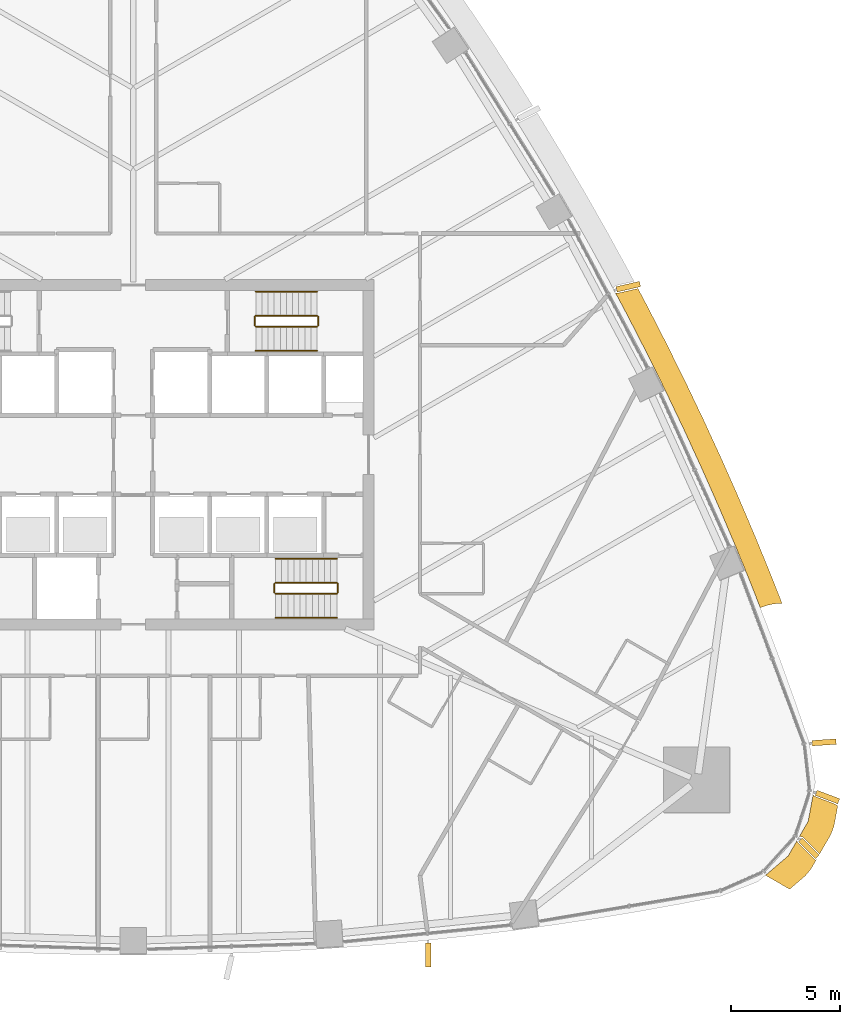
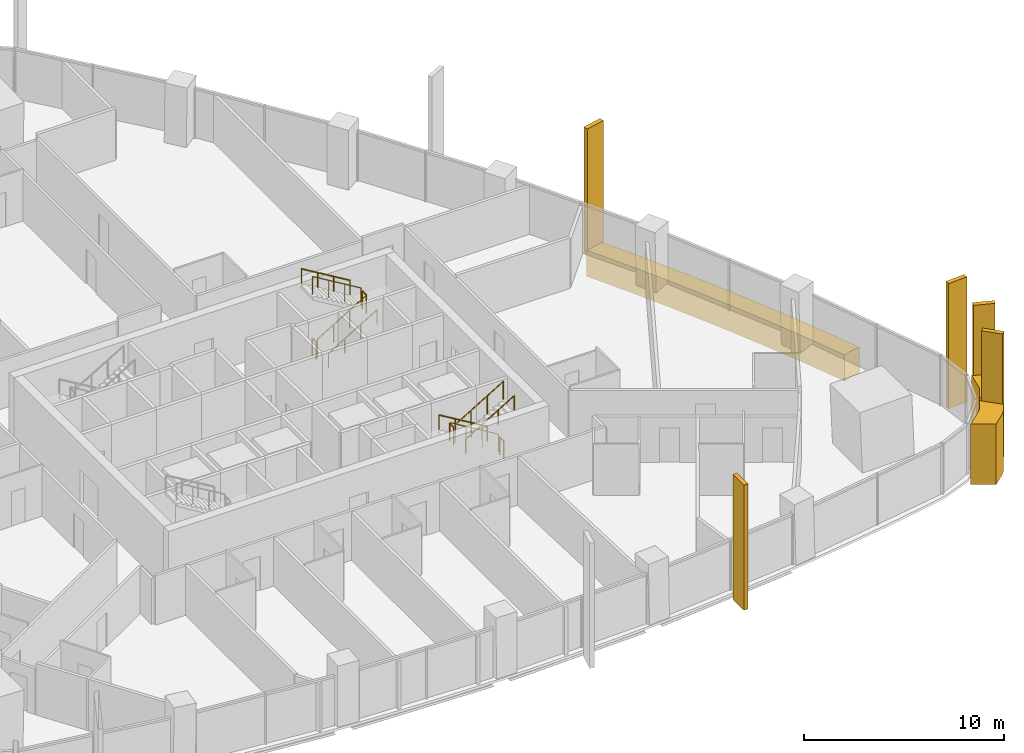
# One storey, part 20 of 22: 12 railings, 8 coverings.
"""IFC4 building model written with IfcOpenShell, lengths in metres."""

from ifc_helpers import new_model, si_unit, direction, frame, origin, origin_2d, place, context, subcontext, project, spatial, polyline, rectangle, circle, outline, extrude, material, layer, layer_set, material_profile, profile_set, type_object, element, save


model = new_model("IFC4")

# Units and contexts
model_context = context("Model", 3, precision=1e-05, world=origin(), true_north=direction((0.0, 1.0)))
body_context = subcontext(model_context, "Body", "Model", "MODEL_VIEW")
ifc_project = project(units=[si_unit("LENGTHUNIT", "METRE"), si_unit("AREAUNIT", "SQUARE_METRE"), si_unit("VOLUMEUNIT", "CUBIC_METRE"), si_unit("PLANEANGLEUNIT", "RADIAN"), si_unit("MASSUNIT", "GRAM", prefix="KILO")], contexts=[model_context])

# Site, building, storey
site_placement = place(None, origin())
site = spatial("IfcSite", under=ifc_project, at=site_placement, CompositionType="ELEMENT")
building_placement = place(site_placement, origin())
building = spatial("IfcBuilding", under=site, at=building_placement, Name="Sierra Prisma Convention Tower", CompositionType="ELEMENT")
storey_placement = place(building_placement, frame((0.0, 0.0, 96.10009765625)))
storey = spatial("IfcBuildingStorey", under=building, at=storey_placement, Name="L20", CompositionType="ELEMENT", Elevation=96.10009765625)

# Coverings
ifc_material_1 = material(Name="Aluminium composite bronze anodised", Category="aluminium")
ifc_layer_1 = layer(ifc_material_1, 1.199951171875)
ifc_layer_set_1 = layer_set([ifc_layer_1], Name="Bronze corner pier")
covering_type_1 = type_object("IfcCoveringType", Name="Bronze corner pier", PredefinedType="CLADDING", material=ifc_layer_set_1)
covering_1_placement = place(storey_placement, frame((0.0, 0.0, -0.60009765625)))
element("IfcCovering", 1, at=covering_1_placement, inside=storey, type_object=covering_type_1, Name="Corner pier SE L20.1", PredefinedType="CLADDING", context=body_context, shape_type="SweptSolid", body=[
    extrude(outline(polyline([(31.147216796875, -18.508544921875), (31.1513671875, -18.510986328125), (31.15576171875, -18.51318359375), (31.160400390625, -18.514892578125), (31.165283203125, -18.51611328125), (31.169921875, -18.516845703125), (31.1748046875, -18.51708984375), (31.1796875, -18.516845703125), (31.184814453125, -18.51611328125), (31.189453125, -18.514892578125), (31.194091796875, -18.51318359375), (31.198486328125, -18.510986328125), (31.20263671875, -18.508544921875), (31.206787109375, -18.505615234375), (31.210205078125, -18.50244140625), (31.214599609375, -18.498291015625), (30.96533203125, -18.9296875), (30.70654296875, -19.2412109375), (29.989990234375, -19.85498046875), (28.887939453125, -19.21875), (29.926025390625, -18.329833984375), (30.324462890625, -17.639892578125), (30.3505859375, -17.707275390625), (30.3525390625, -17.7119140625), (30.355224609375, -17.716552734375), (30.3583984375, -17.720703125), (30.36181640625, -17.724609375), (31.1396484375, -18.50244140625), (31.143310546875, -18.505615234375), (31.147216796875, -18.508544921875)])), origin(), (0.0, 0.0, 1.0), 3.699951171875),
])
covering_2_placement = place(storey_placement, frame((0.0, 0.0, -0.60009765625)))
element("IfcCovering", 2, at=covering_2_placement, inside=storey, type_object=covering_type_1, Name="Corner pier SE L20.2", PredefinedType="CLADDING", context=body_context, shape_type="SweptSolid", body=[
    extrude(outline(polyline([(31.876220703125, -17.351806640625), (31.36669921875, -18.234619140625), (30.609375, -17.47705078125), (30.605712890625, -17.4736328125), (30.6015625, -17.470703125), (30.597412109375, -17.46826171875), (30.5927734375, -17.466064453125), (30.588134765625, -17.464599609375), (30.583251953125, -17.46337890625), (30.578369140625, -17.462646484375), (30.43408203125, -17.44970703125), (30.837158203125, -16.751708984375), (31.063720703125, -15.5380859375), (31.12158203125, -15.6005859375), (31.125, -15.60400390625), (31.128662109375, -15.60693359375), (31.13232421875, -15.609619140625), (31.136474609375, -15.61181640625), (31.140869140625, -15.613525390625), (32.005859375, -15.938232421875), (32.18994140625, -16.04443359375), (32.0166015625, -16.971923828125), (31.876220703125, -17.351806640625)])), origin(), (0.0, 0.0, 1.0), 3.699951171875),
])
ifc_material_2 = material(Name="Aluminium 6063-T6 bronze anodised", Category="aluminium")
ifc_material_profile = material_profile(ifc_material_2, rectangle(XDim=1.10009765625, YDim=0.25, at=origin_2d()), Name="ALU FIN 1100x250")
ifc_profile_set = profile_set([ifc_material_profile], Name="Aluminium 6063-T6 bronze anodised")
covering_type_2 = type_object("IfcCoveringType", Name="Bronze facade fin", PredefinedType="CLADDING", material=ifc_profile_set)
for number, where, z_axis, x_axis, name in (
    (3, (13.477783203125, -22.858154296875, -0.300048828125), (0.0, 0.0, 1.0), (0.005399644184, -0.999985421815, 0.0), "Fin L20.14"),
    (4, (30.87451171875, -17.98974609375, -0.300048828125), (0.0, 0.0, 1.0), (0.707106781187, -0.707106781187, 0.0), "Fin L20.20"),
    (5, (31.71728515625, -15.64306640625, -0.300048828125), (0.0, 0.0, 1.0), (0.936217667051, -0.351420659468, 0.0), "Fin L20.21"),
    (6, (31.56494140625, -13.146484375, -0.300048828125), (0.0, 0.0, 1.0), (0.997741456921, 0.06717131189, 0.0), "Fin L20.22"),
    (7, (22.62060546875, 7.676025390625, -0.300048828125), (0.0, 0.0, 1.0), (0.974534969145, 0.224235576822, 0.0), "Fin L20.29"),
):
    element("IfcCovering", number, at=place(storey_placement, frame(where, z_axis=z_axis, x_axis=x_axis)), inside=storey, type_object=covering_type_2, Name=name, ObjectType="FIN", PredefinedType="CLADDING", context=body_context, shape_type="SweptSolid", body=[
        extrude(rectangle(XDim=1.10009765625, YDim=0.25, at=origin_2d()), origin(), (0.0, 0.0, 1.0), 7.64990234375),
    ])
ifc_material_3 = material(Name="Aluminium composite bronze anodised", Category="aluminium")
ifc_layer_2 = layer(ifc_material_3, 1.0)
ifc_layer_set_2 = layer_set([ifc_layer_2], Name="Bronze spandrel band")
covering_type_3 = type_object("IfcCoveringType", Name="Bronze spandrel band", PredefinedType="CLADDING", material=ifc_layer_set_2)
covering_3_placement = place(storey_placement, frame((0.0, 0.0, -1.60009765625)))
element("IfcCovering", 8, at=covering_3_placement, inside=storey, type_object=covering_type_3, Name="Spandrel band L20.10", PredefinedType="CLADDING", context=body_context, shape_type="SweptSolid", body=[
    extrude(outline(polyline([(29.64453125, -6.79345703125), (29.48681640625, -6.795654296875), (29.241455078125, -6.823486328125), (29.0, -6.875), (28.7646484375, -6.949951171875), (28.648681640625, -6.993408203125), (28.225830078125, -5.91552734375), (27.9736328125, -5.299072265625), (27.973876953125, -5.29736328125), (27.9736328125, -5.29248046875), (27.972900390625, -5.28759765625), (27.9716796875, -5.28271484375), (27.97021484375, -5.2783203125), (27.51318359375, -4.16845703125), (27.51123046875, -4.164306640625), (27.5087890625, -4.16015625), (27.507080078125, -4.15771484375), (27.495361328125, -4.12890625), (26.739501953125, -2.35302734375), (25.958251953125, -0.588134765625), (25.152099609375, 1.16552734375), (24.32080078125, 2.907470703125), (24.30712890625, 2.935302734375), (24.306396484375, 2.93798828125), (24.304931640625, 2.9423828125), (24.302978515625, 2.947021484375), (23.7734375, 4.02392578125), (23.77099609375, 4.028076171875), (23.768310546875, 4.031982421875), (23.765380859375, 4.035888671875), (23.761962890625, 4.039306640625), (23.76025390625, 4.040283203125), (23.46484375, 4.637451171875), (22.58447265625, 6.35498046875), (22.031982421875, 7.3955078125), (22.10302734375, 7.3818359375), (22.1083984375, 7.381103515625), (22.113525390625, 7.381103515625), (22.11865234375, 7.38134765625), (22.123779296875, 7.382080078125), (22.1923828125, 7.39794921875), (22.19970703125, 7.396484375), (22.204833984375, 7.395751953125), (22.2099609375, 7.3955078125), (22.215087890625, 7.39599609375), (22.22021484375, 7.39697265625), (23.060791015625, 7.59033203125), (23.4677734375, 6.82373046875), (23.474365234375, 6.811279296875), (24.354736328125, 5.093505859375), (24.361083984375, 5.080810546875), (25.217041015625, 3.350830078125), (25.223388671875, 3.338134765625), (26.054443359375, 1.59619140625), (26.060546875, 1.583251953125), (26.86669921875, -0.17041015625), (26.872802734375, -0.183349609375), (27.65380859375, -1.948486328125), (27.659423828125, -1.96142578125), (28.415283203125, -3.7373046875), (28.4208984375, -3.75048828125), (29.1513671875, -5.537109375), (29.15673828125, -5.55029296875), (29.64453125, -6.79345703125)])), origin(), (0.0, 0.0, 1.0), 1.60009765625),
])

# Railings
ifc_material_4 = material(Name="Stainless steel", Category="steel")
railing_type_1 = type_object("IfcRailingType", Name="Exit stair handrail", PredefinedType="HANDRAIL", material=ifc_material_4)
railing_1_placement = place(storey_placement, frame((9.300048828125, -4.75, 0.16796875)))
element("IfcRailing", 9, at=railing_1_placement, inside=storey, type_object=railing_type_1, Name="L20 S2 stair handrail 1", PredefinedType="HANDRAIL", context=body_context, shape_type="SweptSolid", body=[
    extrude(circle(Radius=0.02392578125, at=origin_2d()), frame((0.0, 0.0, 0.8759765625), z_axis=(-0.857242210791, 0.0, 0.514913383045), x_axis=(0.0, -1.0, 0.0)), (0.0, 0.0, 1.0), 3.266357421875),
    extrude(circle(Radius=0.02099609375, at=origin_2d()), origin(), (0.0, 0.0, 1.0), 0.851806640625),
    extrude(circle(Radius=0.02099609375, at=origin_2d()), frame((-0.933349609375, 0.0, 0.560546875)), (0.0, 0.0, 1.0), 0.851806640625),
    extrude(circle(Radius=0.02099609375, at=origin_2d()), frame((-1.86669921875, 0.0, 1.121337890625)), (0.0, 0.0, 1.0), 0.851806640625),
    extrude(circle(Radius=0.02099609375, at=origin_2d()), frame((-2.800048828125, 0.0, 1.681884765625)), (0.0, 0.0, 1.0), 0.851806640625),
])
railing_2_placement = place(storey_placement, frame((6.5, -7.449951171875, 2.01806640625)))
element("IfcRailing", 10, at=railing_2_placement, inside=storey, type_object=railing_type_1, Name="L20 S2 stair handrail 2", PredefinedType="HANDRAIL", context=body_context, shape_type="SweptSolid", body=[
    extrude(circle(Radius=0.02392578125, at=origin_2d()), frame((0.0, 0.0, 0.8759765625), z_axis=(0.857242210791, 0.0, 0.514913383045), x_axis=(0.0, 1.0, 0.0)), (0.0, 0.0, 1.0), 3.266357421875),
    extrude(circle(Radius=0.02099609375, at=origin_2d()), origin(), (0.0, 0.0, 1.0), 0.851806640625),
    extrude(circle(Radius=0.02099609375, at=origin_2d()), frame((0.933349609375, 0.0, 0.560546875)), (0.0, 0.0, 1.0), 0.851806640625),
    extrude(circle(Radius=0.02099609375, at=origin_2d()), frame((1.86669921875, 0.0, 1.121337890625)), (0.0, 0.0, 1.0), 0.851806640625),
    extrude(circle(Radius=0.02099609375, at=origin_2d()), frame((2.800048828125, 0.0, 1.681884765625)), (0.0, 0.0, 1.0), 0.851806640625),
])
railing_3_placement = place(storey_placement, frame((5.60009765625, 4.75, 0.16796875)))
element("IfcRailing", 11, at=railing_3_placement, inside=storey, type_object=railing_type_1, Name="L20 S4 stair handrail 1", PredefinedType="HANDRAIL", context=body_context, shape_type="SweptSolid", body=[
    extrude(circle(Radius=0.02392578125, at=origin_2d()), frame((0.0, 0.0, 0.8759765625), z_axis=(0.857222391501, 0.0, 0.514946377315), x_axis=(0.0, 1.0, 0.0)), (0.0, 0.0, 1.0), 3.26611328125),
    extrude(circle(Radius=0.02099609375, at=origin_2d()), origin(), (0.0, 0.0, 1.0), 0.851806640625),
    extrude(circle(Radius=0.02099609375, at=origin_2d()), frame((0.933349609375, 0.0, 0.560546875)), (0.0, 0.0, 1.0), 0.851806640625),
    extrude(circle(Radius=0.02099609375, at=origin_2d()), frame((1.866455078125, 0.0, 1.121337890625)), (0.0, 0.0, 1.0), 0.851806640625),
    extrude(circle(Radius=0.02099609375, at=origin_2d()), frame((2.7998046875, 0.0, 1.681884765625)), (0.0, 0.0, 1.0), 0.851806640625),
])
railing_4_placement = place(storey_placement, frame((8.39990234375, 7.449951171875, 2.01806640625)))
element("IfcRailing", 12, at=railing_4_placement, inside=storey, type_object=railing_type_1, Name="L20 S4 stair handrail 2", PredefinedType="HANDRAIL", context=body_context, shape_type="SweptSolid", body=[
    extrude(circle(Radius=0.02392578125, at=origin_2d()), frame((0.0, 0.0, 0.8759765625), z_axis=(-0.857222391501, 0.0, 0.514946377315), x_axis=(0.0, -1.0, 0.0)), (0.0, 0.0, 1.0), 3.26611328125),
    extrude(circle(Radius=0.02099609375, at=origin_2d()), origin(), (0.0, 0.0, 1.0), 0.851806640625),
    extrude(circle(Radius=0.02099609375, at=origin_2d()), frame((-0.933349609375, 0.0, 0.560546875)), (0.0, 0.0, 1.0), 0.851806640625),
    extrude(circle(Radius=0.02099609375, at=origin_2d()), frame((-1.866455078125, 0.0, 1.121337890625)), (0.0, 0.0, 1.0), 0.851806640625),
    extrude(circle(Radius=0.02099609375, at=origin_2d()), frame((-2.7998046875, 0.0, 1.681884765625)), (0.0, 0.0, 1.0), 0.851806640625),
])
ifc_material_5 = material(Name="Stainless steel", Category="steel")
railing_type_2 = type_object("IfcRailingType", Name="Stair guard 1100", PredefinedType="GUARDRAIL", material=ifc_material_5)
railing_5_placement = place(storey_placement, frame((9.300048828125, -5.85009765625, 0.16796875)))
element("IfcRailing", 13, at=railing_5_placement, inside=storey, type_object=railing_type_2, Name="L20 S2 stair guard 1", PredefinedType="GUARDRAIL", context=body_context, shape_type="SweptSolid", body=[
    extrude(circle(Radius=0.02392578125, at=origin_2d()), frame((0.0, 0.0, 1.076171875), z_axis=(-0.857242210791, 0.0, 0.514913383045), x_axis=(0.0, -1.0, 0.0)), (0.0, 0.0, 1.0), 3.266357421875),
    extrude(circle(Radius=0.02099609375, at=origin_2d()), origin(), (0.0, 0.0, 1.0), 1.052001953125),
    extrude(circle(Radius=0.02099609375, at=origin_2d()), frame((-0.933349609375, 0.0, 0.560546875)), (0.0, 0.0, 1.0), 1.052001953125),
    extrude(circle(Radius=0.02099609375, at=origin_2d()), frame((-1.86669921875, 0.0, 1.121337890625)), (0.0, 0.0, 1.0), 1.052001953125),
    extrude(circle(Radius=0.02099609375, at=origin_2d()), frame((-2.800048828125, 0.0, 1.681884765625)), (0.0, 0.0, 1.0), 1.052001953125),
])
railing_6_placement = place(storey_placement, frame((6.449951171875, -5.89990234375, 1.849853515625)))
element("IfcRailing", 14, at=railing_6_placement, inside=storey, type_object=railing_type_2, Name="L20 S2 stair guard 2", PredefinedType="GUARDRAIL", context=body_context, shape_type="SweptSolid", body=[
    extrude(circle(Radius=0.02392578125, at=origin_2d()), frame((0.0, 0.0, 1.076171875), z_axis=(0.0, -1.0, 0.0), x_axis=(1.0, 0.0, 0.0)), (0.0, 0.0, 1.0), 0.400146484375),
    extrude(circle(Radius=0.02099609375, at=origin_2d()), origin(), (0.0, 0.0, 1.0), 1.052001953125),
    extrude(circle(Radius=0.02099609375, at=origin_2d()), frame((0.0, -0.400146484375, 0.0)), (0.0, 0.0, 1.0), 1.052001953125),
])
railing_7_placement = place(storey_placement, frame((6.5, -6.35009765625, 2.01806640625)))
element("IfcRailing", 15, at=railing_7_placement, inside=storey, type_object=railing_type_2, Name="L20 S2 stair guard 3", PredefinedType="GUARDRAIL", context=body_context, shape_type="SweptSolid", body=[
    extrude(circle(Radius=0.02392578125, at=origin_2d()), frame((0.0, 0.0, 1.076171875), z_axis=(0.857242210791, 0.0, 0.514913383045), x_axis=(0.0, 1.0, 0.0)), (0.0, 0.0, 1.0), 3.266357421875),
    extrude(circle(Radius=0.02099609375, at=origin_2d()), origin(), (0.0, 0.0, 1.0), 1.052001953125),
    extrude(circle(Radius=0.02099609375, at=origin_2d()), frame((0.933349609375, 0.0, 0.560546875)), (0.0, 0.0, 1.0), 1.052001953125),
    extrude(circle(Radius=0.02099609375, at=origin_2d()), frame((1.86669921875, 0.0, 1.121337890625)), (0.0, 0.0, 1.0), 1.052001953125),
    extrude(circle(Radius=0.02099609375, at=origin_2d()), frame((2.800048828125, 0.0, 1.681884765625)), (0.0, 0.0, 1.0), 1.052001953125),
])
railing_8_placement = place(storey_placement, frame((9.35009765625, -5.89990234375, 0.0)))
element("IfcRailing", 16, at=railing_8_placement, inside=storey, type_object=railing_type_2, Name="L20 S2 stair guard 4", PredefinedType="GUARDRAIL", context=body_context, shape_type="SweptSolid", body=[
    extrude(circle(Radius=0.02392578125, at=origin_2d()), frame((0.0, 0.0, 1.076171875), z_axis=(0.0, -1.0, 0.0), x_axis=(1.0, 0.0, 0.0)), (0.0, 0.0, 1.0), 0.400146484375),
    extrude(circle(Radius=0.02099609375, at=origin_2d()), origin(), (0.0, 0.0, 1.0), 1.052001953125),
    extrude(circle(Radius=0.02099609375, at=origin_2d()), frame((0.0, -0.400146484375, 0.0)), (0.0, 0.0, 1.0), 1.052001953125),
])
railing_9_placement = place(storey_placement, frame((5.60009765625, 5.85009765625, 0.16796875)))
element("IfcRailing", 17, at=railing_9_placement, inside=storey, type_object=railing_type_2, Name="L20 S4 stair guard 1", PredefinedType="GUARDRAIL", context=body_context, shape_type="SweptSolid", body=[
    extrude(circle(Radius=0.02392578125, at=origin_2d()), frame((0.0, 0.0, 1.076171875), z_axis=(0.857222391501, 0.0, 0.514946377315), x_axis=(0.0, 1.0, 0.0)), (0.0, 0.0, 1.0), 3.26611328125),
    extrude(circle(Radius=0.02099609375, at=origin_2d()), origin(), (0.0, 0.0, 1.0), 1.052001953125),
    extrude(circle(Radius=0.02099609375, at=origin_2d()), frame((0.933349609375, 0.0, 0.560546875)), (0.0, 0.0, 1.0), 1.052001953125),
    extrude(circle(Radius=0.02099609375, at=origin_2d()), frame((1.866455078125, 0.0, 1.121337890625)), (0.0, 0.0, 1.0), 1.052001953125),
    extrude(circle(Radius=0.02099609375, at=origin_2d()), frame((2.7998046875, 0.0, 1.681884765625)), (0.0, 0.0, 1.0), 1.052001953125),
])
railing_10_placement = place(storey_placement, frame((8.449951171875, 5.89990234375, 1.849853515625)))
element("IfcRailing", 18, at=railing_10_placement, inside=storey, type_object=railing_type_2, Name="L20 S4 stair guard 2", PredefinedType="GUARDRAIL", context=body_context, shape_type="SweptSolid", body=[
    extrude(circle(Radius=0.02392578125, at=origin_2d()), frame((0.0, 0.0, 1.076171875), z_axis=(0.0, 1.0, 0.0), x_axis=(-1.0, 0.0, 0.0)), (0.0, 0.0, 1.0), 0.400146484375),
    extrude(circle(Radius=0.02099609375, at=origin_2d()), origin(), (0.0, 0.0, 1.0), 1.052001953125),
    extrude(circle(Radius=0.02099609375, at=origin_2d()), frame((0.0, 0.400146484375, 0.0)), (0.0, 0.0, 1.0), 1.052001953125),
])
railing_11_placement = place(storey_placement, frame((8.39990234375, 6.35009765625, 2.01806640625)))
element("IfcRailing", 19, at=railing_11_placement, inside=storey, type_object=railing_type_2, Name="L20 S4 stair guard 3", PredefinedType="GUARDRAIL", context=body_context, shape_type="SweptSolid", body=[
    extrude(circle(Radius=0.02392578125, at=origin_2d()), frame((0.0, 0.0, 1.076171875), z_axis=(-0.857222391501, 0.0, 0.514946377315), x_axis=(0.0, -1.0, 0.0)), (0.0, 0.0, 1.0), 3.26611328125),
    extrude(circle(Radius=0.02099609375, at=origin_2d()), origin(), (0.0, 0.0, 1.0), 1.052001953125),
    extrude(circle(Radius=0.02099609375, at=origin_2d()), frame((-0.933349609375, 0.0, 0.560546875)), (0.0, 0.0, 1.0), 1.052001953125),
    extrude(circle(Radius=0.02099609375, at=origin_2d()), frame((-1.866455078125, 0.0, 1.121337890625)), (0.0, 0.0, 1.0), 1.052001953125),
    extrude(circle(Radius=0.02099609375, at=origin_2d()), frame((-2.7998046875, 0.0, 1.681884765625)), (0.0, 0.0, 1.0), 1.052001953125),
])
railing_12_placement = place(storey_placement, frame((5.550048828125, 5.89990234375, 0.0)))
element("IfcRailing", 20, at=railing_12_placement, inside=storey, type_object=railing_type_2, Name="L20 S4 stair guard 4", PredefinedType="GUARDRAIL", context=body_context, shape_type="SweptSolid", body=[
    extrude(circle(Radius=0.02392578125, at=origin_2d()), frame((0.0, 0.0, 1.076171875), z_axis=(0.0, 1.0, 0.0), x_axis=(-1.0, 0.0, 0.0)), (0.0, 0.0, 1.0), 0.400146484375),
    extrude(circle(Radius=0.02099609375, at=origin_2d()), origin(), (0.0, 0.0, 1.0), 1.052001953125),
    extrude(circle(Radius=0.02099609375, at=origin_2d()), frame((0.0, 0.400146484375, 0.0)), (0.0, 0.0, 1.0), 1.052001953125),
])

save(model, "model.ifc")
